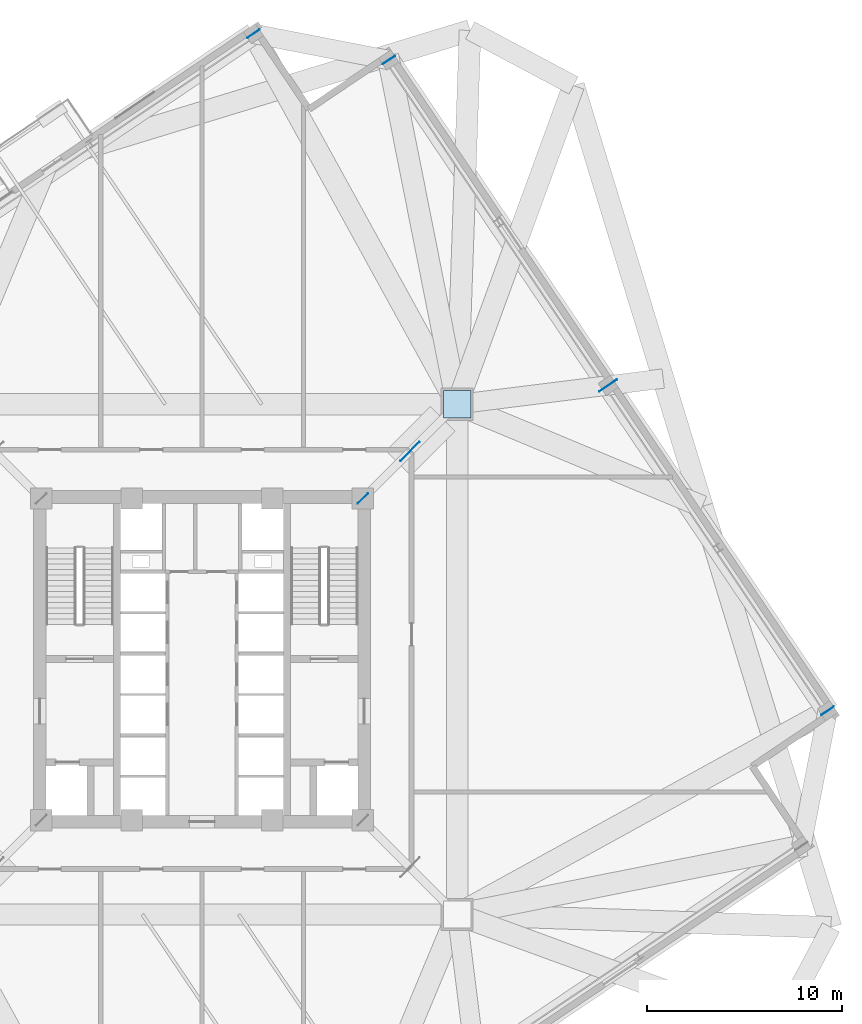
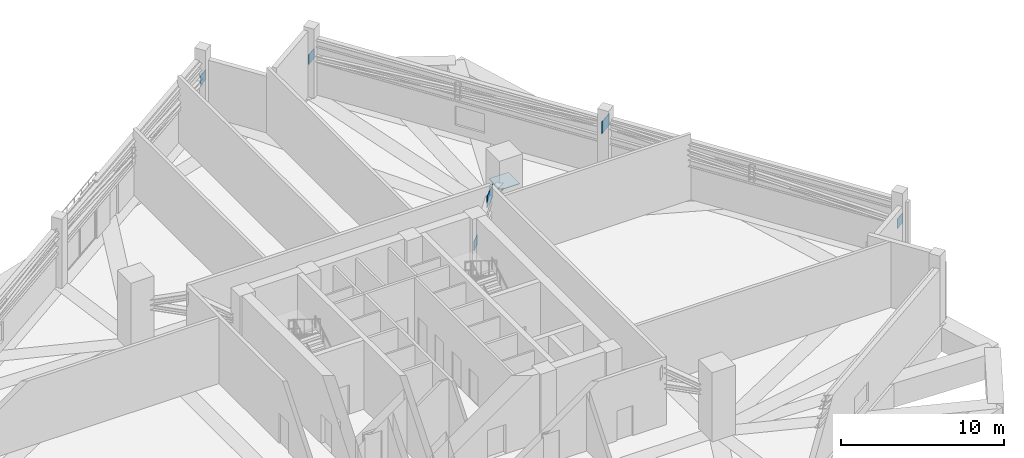
# One storey, part 15 of 21: 7 plates.
"""IFC4 building model written with IfcOpenShell, lengths in metres."""

from ifc_helpers import new_model, si_unit, direction, frame, origin, origin_2d, place, context, subcontext, project, spatial, rectangle, extrude, source, transform, mapped, material, layer, layer_set, type_object, element, save


model = new_model("IFC4")

# Units and contexts
model_context = context("Model", 3, precision=1e-05, world=origin(), true_north=direction((0.0, 1.0)))
body_context = subcontext(model_context, "Body", "Model", "MODEL_VIEW")
ifc_project = project(units=[si_unit("LENGTHUNIT", "METRE"), si_unit("AREAUNIT", "SQUARE_METRE"), si_unit("VOLUMEUNIT", "CUBIC_METRE"), si_unit("PLANEANGLEUNIT", "RADIAN"), si_unit("MASSUNIT", "GRAM", prefix="KILO"), si_unit("THERMODYNAMICTEMPERATUREUNIT", "KELVIN")], contexts=[model_context])

# Site, building, storey
site_placement = place(None, origin())
site = spatial("IfcSite", under=ifc_project, at=site_placement, CompositionType="ELEMENT")
building_placement = place(site_placement, origin())
building = spatial("IfcBuilding", under=site, at=building_placement, Name="Kosmvard Interchange Tower", CompositionType="ELEMENT")
storey_placement = place(building_placement, frame((0.0, 0.0, 139.199951171875)))
storey = spatial("IfcBuildingStorey", under=building, at=storey_placement, Name="L33", CompositionType="ELEMENT", Elevation=139.199951171875)

# Plates
ifc_material = material(Name="Steel S460", Category="steel")
ifc_layer_1 = layer(ifc_material, 0.031982421875, Name="Steel S460")
ifc_layer_set_1 = layer_set([ifc_layer_1], Name="Steel S460")
plate_type_1 = type_object("IfcPlateType", Name="Belt Truss Gusset Plate 1100x1100x32 S460", PredefinedType="USERDEFINED", material=ifc_layer_set_1)
shared_shape_1 = source(origin(), body_context, "Body", "SweptSolid", [
    extrude(rectangle(XDim=0.75, YDim=0.031982421875, at=origin_2d()), origin(), (0.0, 0.0, 1.0), 0.75),
])
for number, where, z_axis, x_axis, name in (
    (1, (8.25, 8.25, 2.545166015625), (0.0, 0.0, 1.0), (0.707106781187, 0.707106781187, 0.0), "L33 Outrigger Core End Gusset Plate 3"),
    (2, (32.083251953125, -2.634765625, 2.445068359375), (0.0, 0.0, 1.0), (0.829037572555, 0.559192903471, 0.0), "L33 Belt Truss End Gusset Plate BAE"),
    (3, (9.575927734375, 30.734130859375, 2.445068359375), (0.0, 0.0, 1.0), (0.829037572555, 0.559192903471, 0.0), "L33 Belt Truss End Gusset Plate BBE"),
    (4, (2.634765625, 32.083251953125, 2.445068359375), (0.0, 0.0, 1.0), (0.829037572555, 0.559192903471, 0.0), "L33 Belt Truss End Gusset Plate BAN"),
):
    element("IfcPlate", number, at=place(storey_placement, frame(where, z_axis=z_axis, x_axis=x_axis)), inside=storey, type_object=plate_type_1, Name=name, ObjectType="GUSSET_PLATE", PredefinedType="USERDEFINED", context=body_context, shape_type="MappedRepresentation", body=[
        mapped(shared_shape_1, transform((0.0, 0.0, 0.0), scale=1.0)),
    ])
ifc_layer_2 = layer(ifc_material, 0.035888671875, Name="Steel S460")
ifc_layer_set_2 = layer_set([ifc_layer_2], Name="Steel S460")
plate_type_2 = type_object("IfcPlateType", Name="Outrigger Node Gusset Plate 1400x1400x36 S460", PredefinedType="USERDEFINED", material=ifc_layer_set_2)
shared_shape_2 = source(origin(), body_context, "Body", "SweptSolid", [
    extrude(rectangle(XDim=1.39990234375, YDim=0.035888671875, at=origin_2d()), origin(), (0.0, 0.0, 1.0), 0.89990234375),
])
plate_1_placement = place(storey_placement, frame((10.66552734375, 10.66552734375, 3.690185546875), z_axis=(0.0, 0.0, 1.0), x_axis=(0.707106781187, 0.707106781187, 0.0)))
element("IfcPlate", 5, at=plate_1_placement, inside=storey, type_object=plate_type_2, Name="L33 Outrigger Node Gusset Plate 3", ObjectType="GUSSET_PLATE", PredefinedType="USERDEFINED", context=body_context, shape_type="MappedRepresentation", body=[
    mapped(shared_shape_2, transform((0.0, 0.0, 0.0), scale=1.0)),
])
ifc_layer_3 = layer(ifc_material, 0.034912109375, Name="Steel S460")
ifc_layer_set_3 = layer_set([ifc_layer_3], Name="Steel S460")
plate_type_3 = type_object("IfcPlateType", Name="Mega-Column Splice Flange Plate 1400x1400x35 S460", PredefinedType="USERDEFINED", material=ifc_layer_set_3)
shared_shape_3 = source(origin(), body_context, "Body", "SweptSolid", [
    extrude(rectangle(XDim=1.39990234375, YDim=1.39990234375, at=origin_2d()), origin(), (0.0, 0.0, 1.0), 0.034912109375),
])
plate_2_placement = place(storey_placement, frame((13.0810546875, 13.0810546875, 2.90283203125), z_axis=(0.0, 0.0, 1.0), x_axis=(1.0, 0.0, 0.0)))
element("IfcPlate", 6, at=plate_2_placement, inside=storey, type_object=plate_type_3, Name="L33 Mega-Column Splice Flange Plate 3", ObjectType="FLANGE_PLATE", PredefinedType="USERDEFINED", context=body_context, shape_type="MappedRepresentation", body=[
    mapped(shared_shape_3, transform((0.0, 0.0, 0.0), scale=1.0)),
])
shared_shape_4 = source(origin(), body_context, "Body", "SweptSolid", [
    extrude(rectangle(XDim=1.10009765625, YDim=0.031982421875, at=origin_2d()), origin(), (0.0, 0.0, 1.0), 0.89990234375),
])
plate_3_placement = place(storey_placement, frame((20.82958984375, 14.0498046875, 3.510009765625), z_axis=(0.0, 0.0, 1.0), x_axis=(0.829037572555, 0.559192903471, 0.0)))
element("IfcPlate", 7, at=plate_3_placement, inside=storey, type_object=plate_type_1, Name="L33 Belt Truss Node Gusset Plate E", ObjectType="GUSSET_PLATE", PredefinedType="USERDEFINED", context=body_context, shape_type="MappedRepresentation", body=[
    mapped(shared_shape_4, transform((0.0, 0.0, 0.0), scale=1.0)),
])

save(model, "model.ifc")
